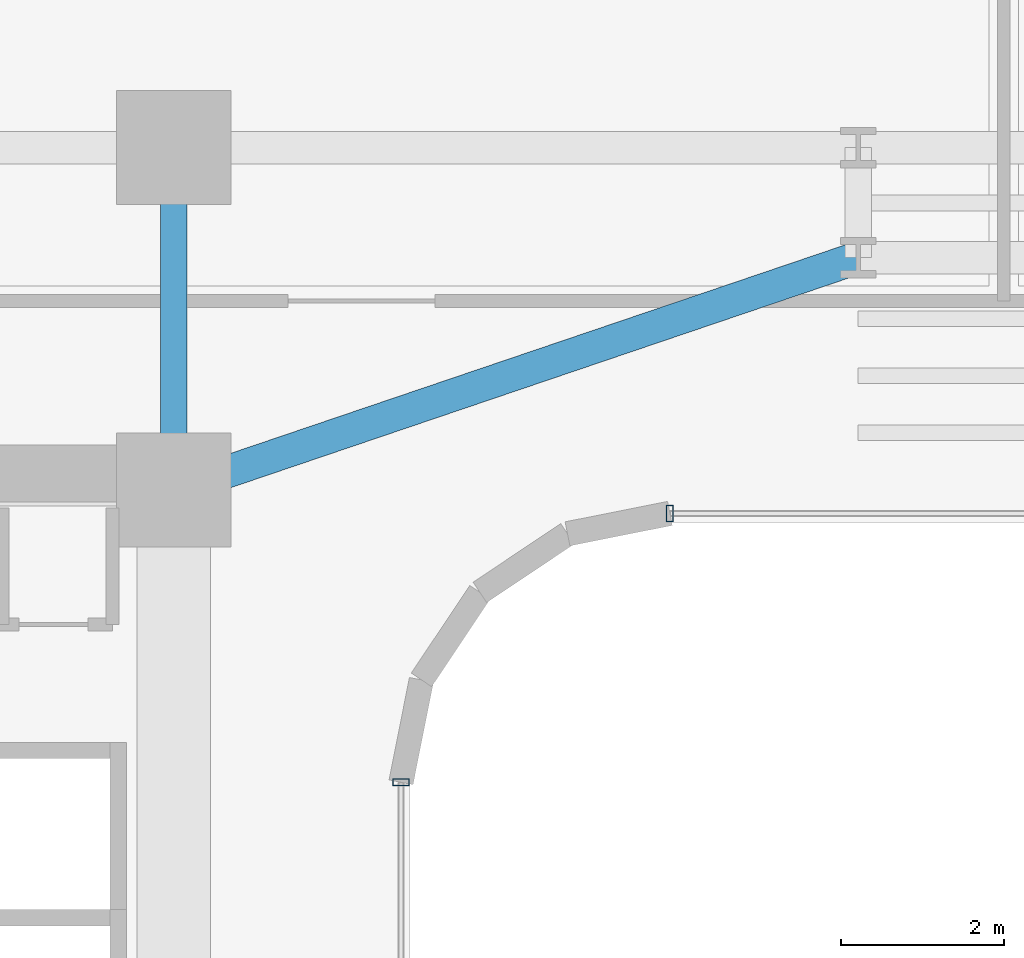
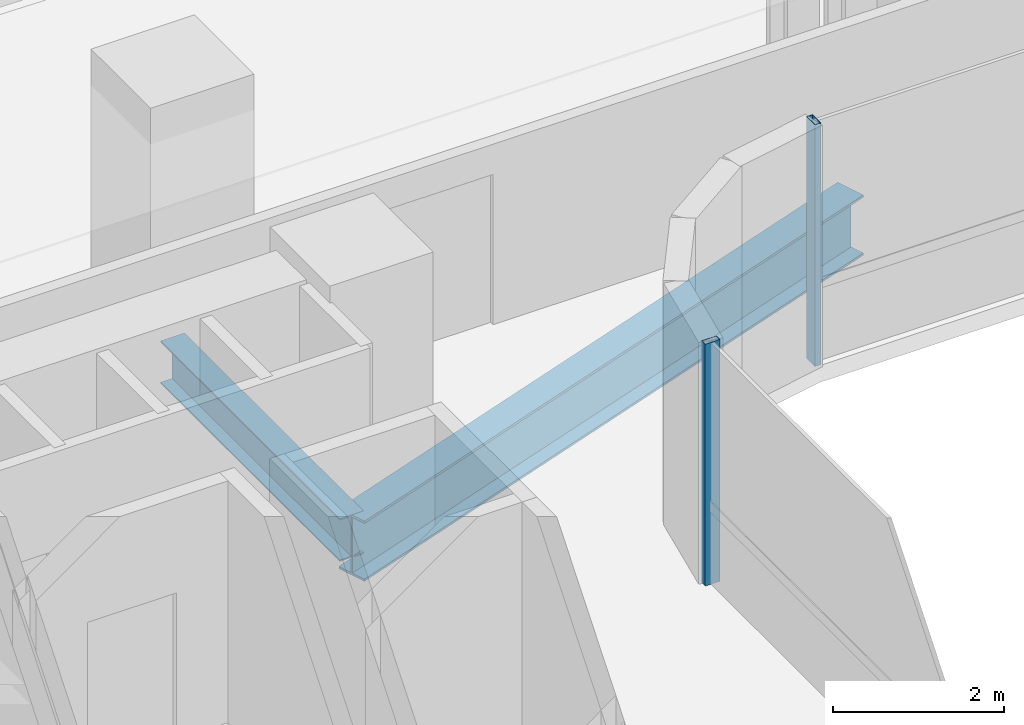
# One storey, part 12 of 41: 2 beams, 2 members, 2 elements without a shape of their own.
"""IFC4 building model written with IfcOpenShell, lengths in metres."""

from ifc_helpers import new_model, si_unit, direction, frame, origin, origin_2d, place, context, subcontext, project, spatial, hollow_rectangle, i_section, extrude, source, transform, mapped, material, material_profile, profile_set, type_object, element, aggregate, save


model = new_model("IFC4")

# Units and contexts
model_context = context("Model", 3, precision=1e-05, world=origin(), true_north=direction((0.0, 1.0)))
body_context = subcontext(model_context, "Body", "Model", "MODEL_VIEW")
ifc_project = project(units=[si_unit("LENGTHUNIT", "METRE"), si_unit("AREAUNIT", "SQUARE_METRE"), si_unit("VOLUMEUNIT", "CUBIC_METRE"), si_unit("PLANEANGLEUNIT", "RADIAN"), si_unit("MASSUNIT", "GRAM", prefix="KILO")], contexts=[model_context])

# Site, building, storey
site_placement = place(None, origin())
site = spatial("IfcSite", under=ifc_project, at=site_placement, CompositionType="ELEMENT")
building_placement = place(site_placement, origin())
building = spatial("IfcBuilding", under=site, at=building_placement, Name="Valdorenza Pilgrim Sanctuary Tower", CompositionType="ELEMENT")
storey_placement = place(building_placement, frame((0.0, 0.0, 63.0)))
storey = spatial("IfcBuildingStorey", under=building, at=storey_placement, Name="L15", CompositionType="ELEMENT", Elevation=63.0)

# Beams
ifc_material_1 = material(Name="Steel ASTM A992 Grade 50", Category="steel")
ifc_material_profile_1 = material_profile(ifc_material_1, i_section(OverallWidth=0.323974609375, OverallDepth=0.611083984375, WebThickness=0.0126953125, FlangeThickness=0.01904296875, at=origin_2d()), Name="W24X104")
ifc_profile_set_1 = profile_set([ifc_material_profile_1], Name="Steel ASTM A992 Grade 50")
beam_type_1 = type_object("IfcBeamType", Name="STR-BM-GRD-W24B", PredefinedType="BEAM", material=ifc_profile_set_1)
shared_shape_1 = source(origin(), body_context, "Body", "SweptSolid", [
    extrude(i_section(OverallWidth=0.323974609375, OverallDepth=0.611083984375, WebThickness=0.0126953125, FlangeThickness=0.01904296875, at=origin_2d()), origin(), (0.0, 0.0, 1.0), 4.199951171875),
])
beam_1_placement = place(storey_placement, frame((-12.39990234375, 10.60009765625, -0.54541015625), z_axis=(0.0, 1.0, 0.0), x_axis=(-1.0, 0.0, 0.0)))
element("IfcBeam", 1, at=beam_1_placement, inside=storey, type_object=beam_type_1, Name="L15 Core Tie Girder CA-E-N1N2", PredefinedType="BEAM", context=body_context, shape_type="MappedRepresentation", body=[
    mapped(shared_shape_1, transform((0.0, 0.0, 0.0), x_axis=(1.0, 0.0, 0.0), y_axis=(0.0, 1.0, 0.0), z_axis=(0.0, 0.0, 1.0), scale=1.0)),
])
ifc_material_profile_2 = material_profile(ifc_material_1, i_section(OverallWidth=0.39990234375, OverallDepth=0.862060546875, WebThickness=0.019775390625, FlangeThickness=0.032470703125, at=origin_2d()), Name="W33X221")
ifc_profile_set_2 = profile_set([ifc_material_profile_2], Name="Steel ASTM A992 Grade 50")
beam_type_2 = type_object("IfcBeamType", Name="STR-BM-GRD-W33", PredefinedType="BEAM", material=ifc_profile_set_2)
shared_shape_2 = source(origin(), body_context, "Body", "SweptSolid", [
    extrude(i_section(OverallWidth=0.39990234375, OverallDepth=0.862060546875, WebThickness=0.019775390625, FlangeThickness=0.032470703125, at=origin_2d()), origin(), (0.0, 0.0, 1.0), 8.8701171875),
])
beam_2_placement = place(storey_placement, frame((-12.39990234375, 10.60009765625, -0.6708984375), z_axis=(0.946982588361, 0.321284885018, 0.0), x_axis=(-0.321284885018, 0.946982588361, 0.0)))
element("IfcBeam", 2, at=beam_2_placement, inside=storey, type_object=beam_type_2, Name="L15 Floor Girder KNK-G1", PredefinedType="BEAM", context=body_context, shape_type="MappedRepresentation", body=[
    mapped(shared_shape_2, transform((0.0, 0.0, 0.0), x_axis=(1.0, 0.0, 0.0), y_axis=(0.0, 1.0, 0.0), z_axis=(0.0, 0.0, 1.0), scale=1.0)),
])

# Curtain wall, member
ifc_material_2 = material(Name="Curtain-wall IGU glazing", Category="glass")
curtain_wall_type = type_object("IfcCurtainWallType", Name="CW-SYS-02", PredefinedType="NOTDEFINED", material=ifc_material_2)
curtain_wall_1_placement = place(storey_placement, origin())
curtain_wall_1 = element("IfcCurtainWall", 3, at=curtain_wall_1_placement, inside=storey, type_object=curtain_wall_type, Name="L15 Curtain Wall CW-L15-1-36", PredefinedType="NOTDEFINED")
ifc_material_3 = material(Name="Anodised aluminium AW-6060", Category="aluminium")
ifc_material_profile_3 = material_profile(ifc_material_3, hollow_rectangle(XDim=0.0849609375, YDim=0.199951171875, WallThickness=0.0048828125, at=origin_2d()), Name="ALU-M 200x85x5")
ifc_profile_set_3 = profile_set([ifc_material_profile_3], Name="Anodised aluminium AW-6060")
member_type = type_object("IfcMemberType", Name="CW-MUL-02", PredefinedType="MULLION", material=ifc_profile_set_3)
shared_shape_3 = source(origin(), body_context, "Body", "SweptSolid", [
    extrude(hollow_rectangle(XDim=0.0849609375, YDim=0.199951171875, WallThickness=0.0048828125, at=origin_2d()), origin(), (0.0, 0.0, 1.0), 3.4599609375),
])
member_1_placement = place(storey_placement, frame((-6.310791015625, 10.31005859375, 0.0), z_axis=(0.0, 0.0, 1.0), x_axis=(-1.0, 0.0, 0.0)))
member_1 = element("IfcMember", 4, at=member_1_placement, type_object=member_type, Name="CW-L15-1-36 Mullion 4", PredefinedType="MULLION", context=body_context, shape_type="MappedRepresentation", body=[
    mapped(shared_shape_3, transform((0.0, 0.0, 0.0), x_axis=(1.0, 0.0, 0.0), y_axis=(0.0, 1.0, 0.0), z_axis=(0.0, 0.0, 1.0), scale=1.0)),
])
aggregate(curtain_wall_1, [member_1])

curtain_wall_2_placement = place(storey_placement, origin())
curtain_wall_2 = element("IfcCurtainWall", 5, at=curtain_wall_2_placement, inside=storey, type_object=curtain_wall_type, Name="L15 Curtain Wall CW-L15-1-41", PredefinedType="NOTDEFINED")
member_2_placement = place(storey_placement, frame((-9.610107421875, 7.0107421875, 0.0), z_axis=(0.0, 0.0, 1.0), x_axis=(0.0, -1.0, 0.0)))
member_2 = element("IfcMember", 6, at=member_2_placement, type_object=member_type, Name="CW-L15-1-41 Mullion 1", PredefinedType="MULLION", context=body_context, shape_type="MappedRepresentation", body=[
    mapped(shared_shape_3, transform((0.0, 0.0, 0.0), x_axis=(1.0, 0.0, 0.0), y_axis=(0.0, 1.0, 0.0), z_axis=(0.0, 0.0, 1.0), scale=1.0)),
])
aggregate(curtain_wall_2, [member_2])

save(model, "model.ifc")
